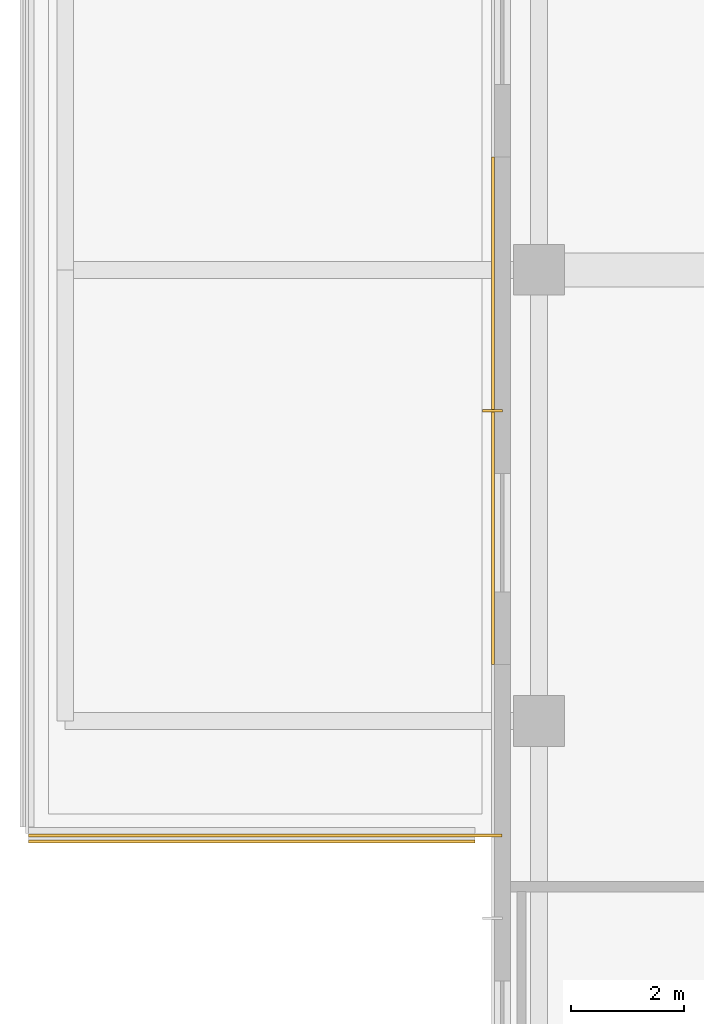
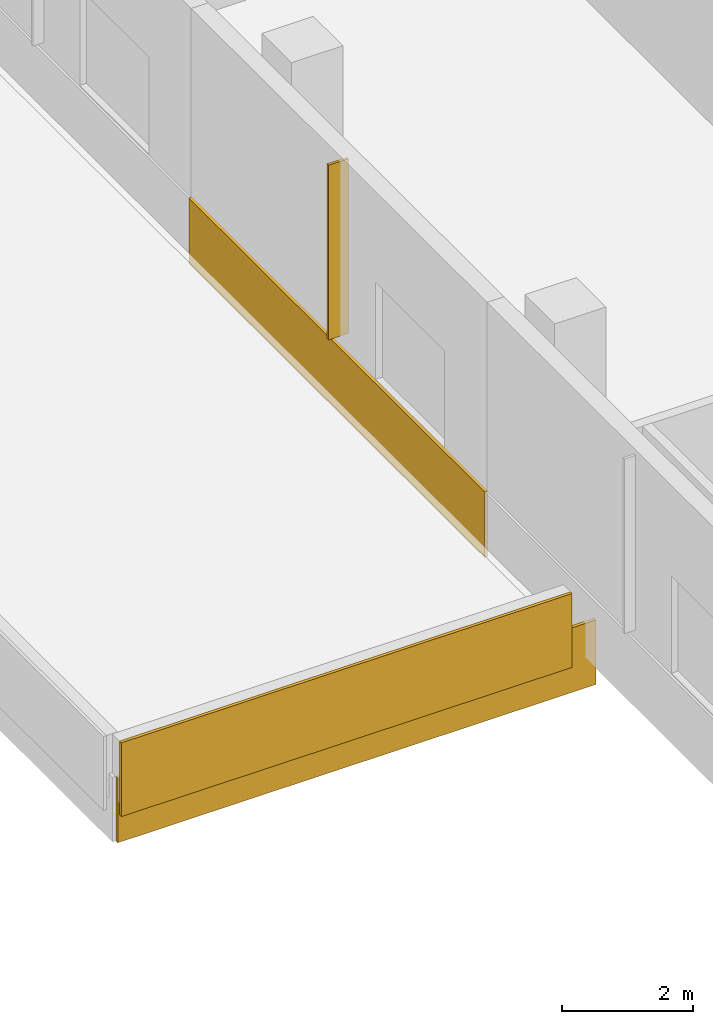
# One storey, part 156 of 168: 3 coverings, 1 shading device.
"""IFC4 building model written with IfcOpenShell, lengths in metres."""

from ifc_helpers import new_model, si_unit, direction, frame, origin, origin_2d, place, context, subcontext, project, spatial, rectangle, extrude, material, layer, layer_set, type_object, element, save


model = new_model("IFC4")

# Units and contexts
model_context = context("Model", 3, precision=1e-05, world=origin(), true_north=direction((0.0, 1.0)))
body_context = subcontext(model_context, "Body", "Model", "MODEL_VIEW")
ifc_project = project(units=[si_unit("LENGTHUNIT", "METRE"), si_unit("AREAUNIT", "SQUARE_METRE"), si_unit("VOLUMEUNIT", "CUBIC_METRE"), si_unit("PLANEANGLEUNIT", "RADIAN"), si_unit("MASSUNIT", "GRAM", prefix="KILO")], contexts=[model_context])

# Site, building, storey
site_placement = place(None, origin())
site = spatial("IfcSite", under=ifc_project, at=site_placement, CompositionType="ELEMENT")
building_placement = place(site_placement, origin())
building = spatial("IfcBuilding", under=site, at=building_placement, Name="Selatvlak General Hospital", CompositionType="ELEMENT")
storey_placement = place(building_placement, frame((0.0, 0.0, 5.39990234375)))
storey = spatial("IfcBuildingStorey", under=building, at=storey_placement, Name="L01", CompositionType="ELEMENT", Elevation=5.39990234375)

# Coverings
ifc_material_1 = material(Name="White Bauhaus fair-faced cladding panel")
ifc_layer_1 = layer(ifc_material_1, 0.054931640625, Name="White Bauhaus fair-faced cladding panel")
ifc_layer_set_1 = layer_set([ifc_layer_1], Name="White Bauhaus fair-faced cladding panel")
covering_type = type_object("IfcCoveringType", Name="COV-WHT1", PredefinedType="CLADDING", material=ifc_layer_set_1)
covering_1_placement = place(storey_placement, frame((14.235107421875, 65.4990234375, -0.27978515625), z_axis=(0.0, 0.0, 1.0), x_axis=(0.0, 1.0, 0.0)))
element("IfcCovering", 1, at=covering_1_placement, inside=storey, type_object=covering_type, Name="L01 Bauhaus horizontal white spandrel band 0043", PredefinedType="CLADDING", context=body_context, shape_type="SweptSolid", body=[
    extrude(rectangle(XDim=8.9990234375, YDim=0.054931640625, at=origin_2d()), origin(), (0.0, 0.0, 1.0), 1.219970703125),
])
covering_2_placement = place(storey_placement, frame((10.199951171875, 57.969970703125, -0.85009765625), z_axis=(0.0, 0.0, 1.0), x_axis=(1.0, 0.0, 0.0)))
element("IfcCovering", 2, at=covering_2_placement, inside=storey, type_object=covering_type, Name="L01 Emergency ambulance canopy fascia S 0580", PredefinedType="CLADDING", context=body_context, shape_type="SweptSolid", body=[
    extrude(rectangle(XDim=8.39990234375, YDim=0.054931640625, at=origin_2d()), origin(), (0.0, 0.0, 1.0), 1.199951171875),
])
covering_3_placement = place(storey_placement, frame((9.9599609375, 57.864990234375, -0.300048828125), z_axis=(0.0, 0.0, 1.0), x_axis=(-1.0, 0.0, 0.0)))
element("IfcCovering", 3, at=covering_3_placement, inside=storey, type_object=covering_type, Name="L01 Roof parapet white Bauhaus coping 0614", PredefinedType="CLADDING", context=body_context, shape_type="SweptSolid", body=[
    extrude(rectangle(XDim=7.919921875, YDim=0.054931640625, at=origin_2d()), origin(), (0.0, 0.0, 1.0), 1.3701171875),
])

# Shading device
ifc_material_2 = material(Name="Anodised aluminium brise-soleil fin", Category="aluminium")
ifc_layer_2 = layer(ifc_material_2, 0.044921875, Name="Anodised aluminium brise-soleil fin", Category="aluminium")
ifc_layer_set_2 = layer_set([ifc_layer_2], Name="Anodised aluminium brise-soleil fin")
shading_device_type = type_object("IfcShadingDeviceType", Name="SHD-FIN1", PredefinedType="USERDEFINED", material=ifc_layer_set_2)
shading_device_placement = place(storey_placement, frame((14.22802734375, 65.4990234375, 1.1005859375), z_axis=(0.0, 0.0, 1.0), x_axis=(-1.0, 0.0, 0.0)))
element("IfcShadingDevice", 4, at=shading_device_placement, inside=storey, type_object=shading_device_type, Name="L01 monsoon vertical brise-soleil fin 199", ObjectType="SUNSHADE", PredefinedType="USERDEFINED", context=body_context, shape_type="SweptSolid", body=[
    extrude(rectangle(XDim=0.35009765625, YDim=0.044921875, at=origin_2d()), origin(), (0.0, 0.0, 1.0), 3.2451171875),
])

save(model, "model.ifc")
